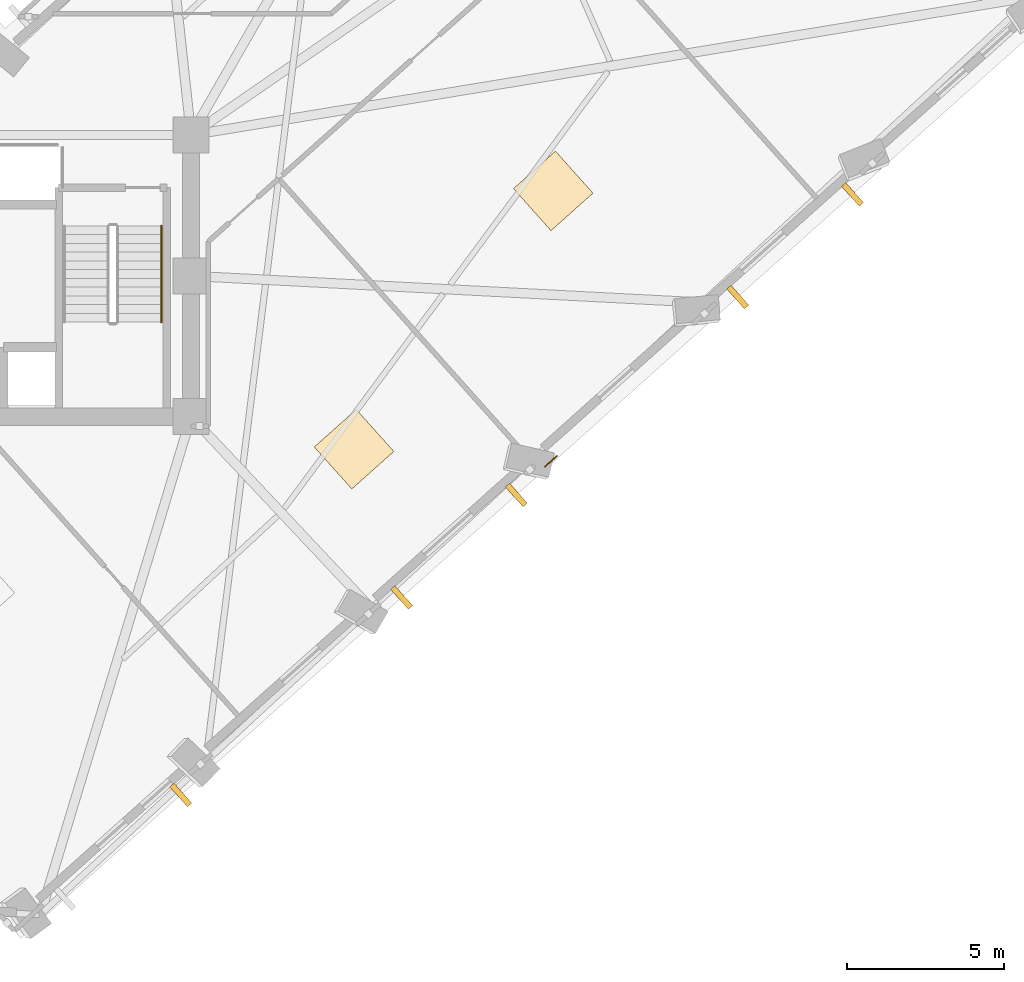
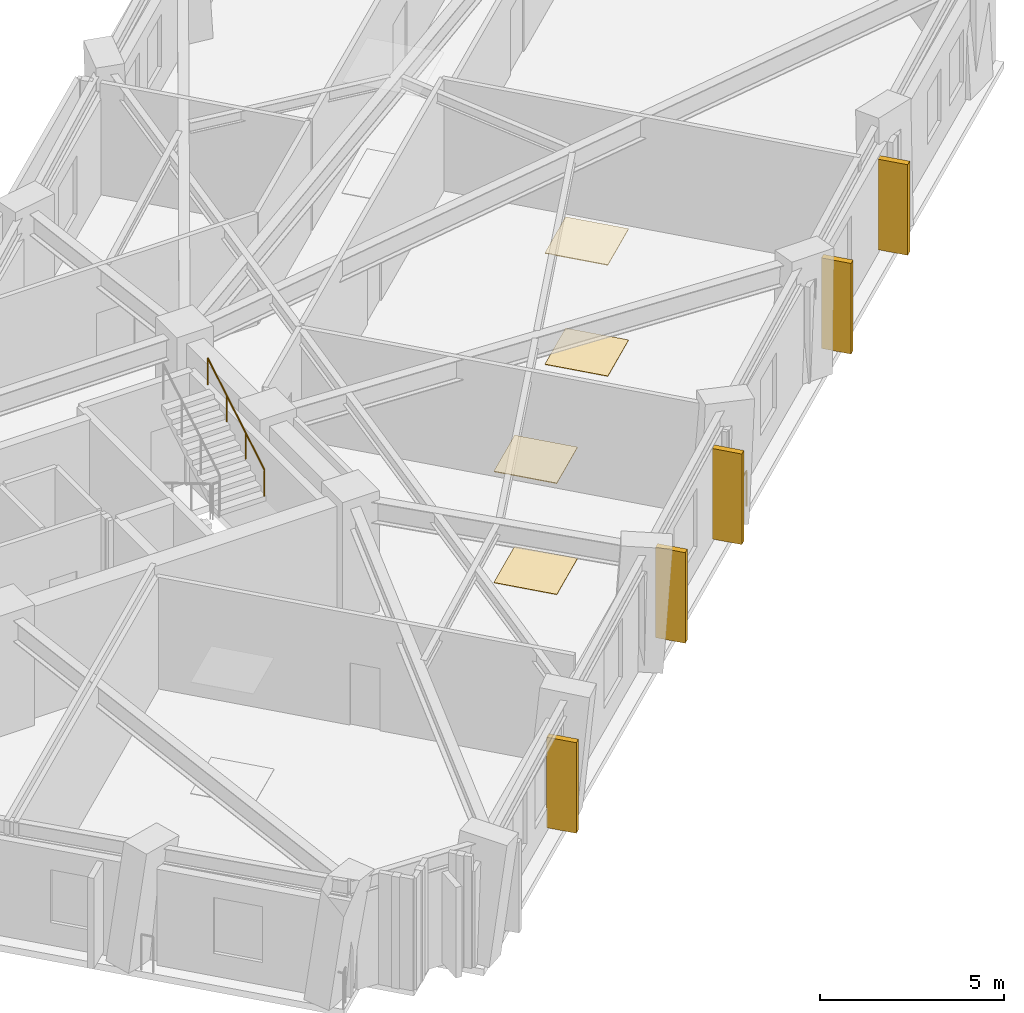
# One storey, part 12 of 14: 5 shading devices, 4 coverings, 2 railings.
"""IFC4 building model written with IfcOpenShell, lengths in metres."""

from ifc_helpers import new_model, si_unit, direction, frame, origin, origin_2d, place, context, subcontext, project, spatial, rectangle, circle, extrude, material, layer, layer_set, type_object, element, save


model = new_model("IFC4")

# Units and contexts
model_context = context("Model", 3, precision=1e-05, world=origin(), true_north=direction((0.0, 1.0)))
body_context = subcontext(model_context, "Body", "Model", "MODEL_VIEW")
ifc_project = project(units=[si_unit("LENGTHUNIT", "METRE"), si_unit("AREAUNIT", "SQUARE_METRE"), si_unit("VOLUMEUNIT", "CUBIC_METRE"), si_unit("PLANEANGLEUNIT", "RADIAN"), si_unit("MASSUNIT", "GRAM", prefix="KILO")], contexts=[model_context])

# Site, building, storey
site_placement = place(None, origin())
site = spatial("IfcSite", under=ifc_project, at=site_placement, CompositionType="ELEMENT")
building_placement = place(site_placement, origin())
building = spatial("IfcBuilding", under=site, at=building_placement, Name="Gaonmaruhae Medical Tower", CompositionType="ELEMENT")
storey_placement = place(building_placement, frame((0.0, 0.0, 201.800048828125)))
storey = spatial("IfcBuildingStorey", under=building, at=storey_placement, Name="L48", CompositionType="ELEMENT", Elevation=201.800048828125)

# Coverings
ifc_material_1 = material(Name="Acoustic mineral ceiling tile", Category="finish")
ifc_layer_1 = layer(ifc_material_1, 0.02490234375)
ifc_layer_set_1 = layer_set([ifc_layer_1], Name="Acoustic mineral ceiling tile")
covering_type_1 = type_object("IfcCoveringType", Name="CLG-01 Antimicrobial Acoustic Mineral Ceiling", PredefinedType="CEILING", material=ifc_layer_set_1)
for number, where, z_axis, x_axis, name in (
    (1, (40.80712890625, 6.76220703125, 3.675048828125), (0.0, 0.0, 1.0), (0.745475999683, 0.666532470249, 0.0), "L48 Clinical Room Acoustic Ceiling 3"),
    (2, (47.171142578125, 15.01513671875, 3.675048828125), (0.0, 0.0, 1.0), (0.745475999683, 0.666532470249, 0.0), "L48 Clinical Room Acoustic Ceiling 4"),
):
    element("IfcCovering", number, at=place(storey_placement, frame(where, z_axis=z_axis, x_axis=x_axis)), inside=storey, type_object=covering_type_1, Name=name, PredefinedType="CEILING", context=body_context, shape_type="SweptSolid", body=[
        extrude(rectangle(XDim=1.800048828125, YDim=1.800048828125, at=origin_2d()), origin(), (0.0, 0.0, 1.0), 0.02490234375),
    ])
ifc_material_2 = material(Name="Seamless clinical vinyl flooring", Category="finish")
ifc_layer_2 = layer(ifc_material_2, 0.014892578125)
ifc_layer_set_2 = layer_set([ifc_layer_2], Name="Seamless clinical vinyl flooring")
covering_type_2 = type_object("IfcCoveringType", Name="FLR-01 Seamless Clinical Antistatic Vinyl Flooring", PredefinedType="FLOORING", material=ifc_layer_set_2)
for number, where, z_axis, x_axis, name in (
    (3, (40.80712890625, 6.76220703125, 0.0), (0.0, 0.0, 1.0), (0.745475999683, 0.666532470249, 0.0), "L48 Clinical Room Vinyl Flooring 3"),
    (4, (47.171142578125, 15.01513671875, 0.0), (0.0, 0.0, 1.0), (0.745475999683, 0.666532470249, 0.0), "L48 Clinical Room Vinyl Flooring 4"),
):
    element("IfcCovering", number, at=place(storey_placement, frame(where, z_axis=z_axis, x_axis=x_axis)), inside=storey, type_object=covering_type_2, Name=name, PredefinedType="FLOORING", context=body_context, shape_type="SweptSolid", body=[
        extrude(rectangle(XDim=1.800048828125, YDim=1.800048828125, at=origin_2d()), origin(), (0.0, 0.0, 1.0), 0.014892578125),
    ])

# Railings
ifc_material_3 = material(Name="Stainless steel 316L and laminated safety glass", Category="steel")
ifc_layer_3 = layer(ifc_material_3, 0.080078125)
ifc_layer_set_3 = layer_set([ifc_layer_3], Name="Stainless steel 316L and laminated safety glass")
railing_type_1 = type_object("IfcRailingType", Name="GD-120 Outdoor Terrace Safety Glass & Steel Balustrade", PredefinedType="BALUSTRADE", material=ifc_layer_set_3)
railing_1_placement = place(storey_placement, frame((47.2880859375, 6.548095703125, 0.0)))
element("IfcRailing", 5, at=railing_1_placement, inside=storey, type_object=railing_type_1, Name="L48 Perimeter Slab Edge Safety Balustrade 03", PredefinedType="BALUSTRADE", context=body_context, shape_type="SweptSolid", body=[
    extrude(circle(Radius=0.02392578125, at=origin_2d()), frame((0.0, 0.0, 1.17578125), z_axis=(-0.745327505824, -0.666698514369, 0.0), x_axis=(0.666698514369, -0.745327505824, 0.0)), (0.0, 0.0, 1.0), 0.5185546875),
    extrude(circle(Radius=0.02099609375, at=origin_2d()), origin(), (0.0, 0.0, 1.0), 1.15185546875),
    extrude(circle(Radius=0.02099609375, at=origin_2d()), frame((-0.386474609375, -0.345703125, 0.0)), (0.0, 0.0, 1.0), 1.15185546875),
])
ifc_material_4 = material(Name="Stainless steel 304 handrail", Category="steel")
railing_type_2 = type_object("IfcRailingType", Name="HR-092 Continuous Stainless Steel Stair Handrail", PredefinedType="HANDRAIL", material=ifc_material_4)
railing_2_placement = place(storey_placement, frame((34.64990234375, 10.820068359375, 2.16650390625)))
element("IfcRailing", 6, at=railing_2_placement, inside=storey, type_object=railing_type_2, Name="L48 ST-02 stair handrail 2", PredefinedType="HANDRAIL", context=body_context, shape_type="SweptSolid", body=[
    extrude(circle(Radius=0.02392578125, at=origin_2d()), frame((0.0, 0.0, 0.8759765625), z_axis=(0.0, 0.859260807169, 0.511537745687), x_axis=(-1.0, 0.0, 0.0)), (0.0, 0.0, 1.0), 3.584228515625),
    extrude(circle(Radius=0.02099609375, at=origin_2d()), origin(), (0.0, 0.0, 1.0), 0.851806640625),
    extrude(circle(Radius=0.02099609375, at=origin_2d()), frame((0.0, 1.026611328125, 0.611083984375)), (0.0, 0.0, 1.0), 0.851806640625),
    extrude(circle(Radius=0.02099609375, at=origin_2d()), frame((0.0, 2.05322265625, 1.222412109375)), (0.0, 0.0, 1.0), 0.851806640625),
    extrude(circle(Radius=0.02099609375, at=origin_2d()), frame((0.0, 3.079833984375, 1.83349609375)), (0.0, 0.0, 1.0), 0.851806640625),
])

# Shading devices
ifc_material_5 = material(Name="Pigmented coral precast concrete C45/55", Category="concrete")
shading_device_type = type_object("IfcShadingDeviceType", Name="SD-FIN1 Tower Vertical Coral Precast Shading Fin", PredefinedType="USERDEFINED", material=ifc_material_5)
for number, where, z_axis, x_axis, name in (
    (7, (35.2705078125, -4.2841796875, 0.092529296875), (0.0, 0.0, 1.0), (-0.745475999683, -0.666532470249, 0.0), "L48 Vertical Coral Precast Shading Fin S01"),
    (8, (45.98974609375, 5.300048828125, 0.092529296875), (0.0, 0.0, 1.0), (-0.745475999683, -0.666532470249, 0.0), "L48 Vertical Coral Precast Shading Fin S03"),
    (9, (42.326416015625, 2.0244140625, 0.092529296875), (0.0, 0.0, 1.0), (-0.745475999683, -0.666532470249, 0.0), "L48 Vertical Coral Precast Shading Fin S03B"),
    (10, (56.730712890625, 14.903564453125, 0.092529296875), (0.0, 0.0, 1.0), (-0.745464366383, -0.666545481159, 0.0), "L48 Vertical Coral Precast Shading Fin S05"),
    (11, (53.064453125, 11.62548828125, 0.092529296875), (0.0, 0.0, 1.0), (-0.745464366383, -0.666545481159, 0.0), "L48 Vertical Coral Precast Shading Fin S05B"),
):
    element("IfcShadingDevice", number, at=place(storey_placement, frame(where, z_axis=z_axis, x_axis=x_axis)), inside=storey, type_object=shading_device_type, Name=name, ObjectType="FIN", PredefinedType="USERDEFINED", context=body_context, shape_type="SweptSolid", body=[
        extrude(rectangle(XDim=0.179931640625, YDim=0.85009765625, at=origin_2d()), origin(), (0.0, 0.0, 1.0), 3.0),
    ])

save(model, "model.ifc")
